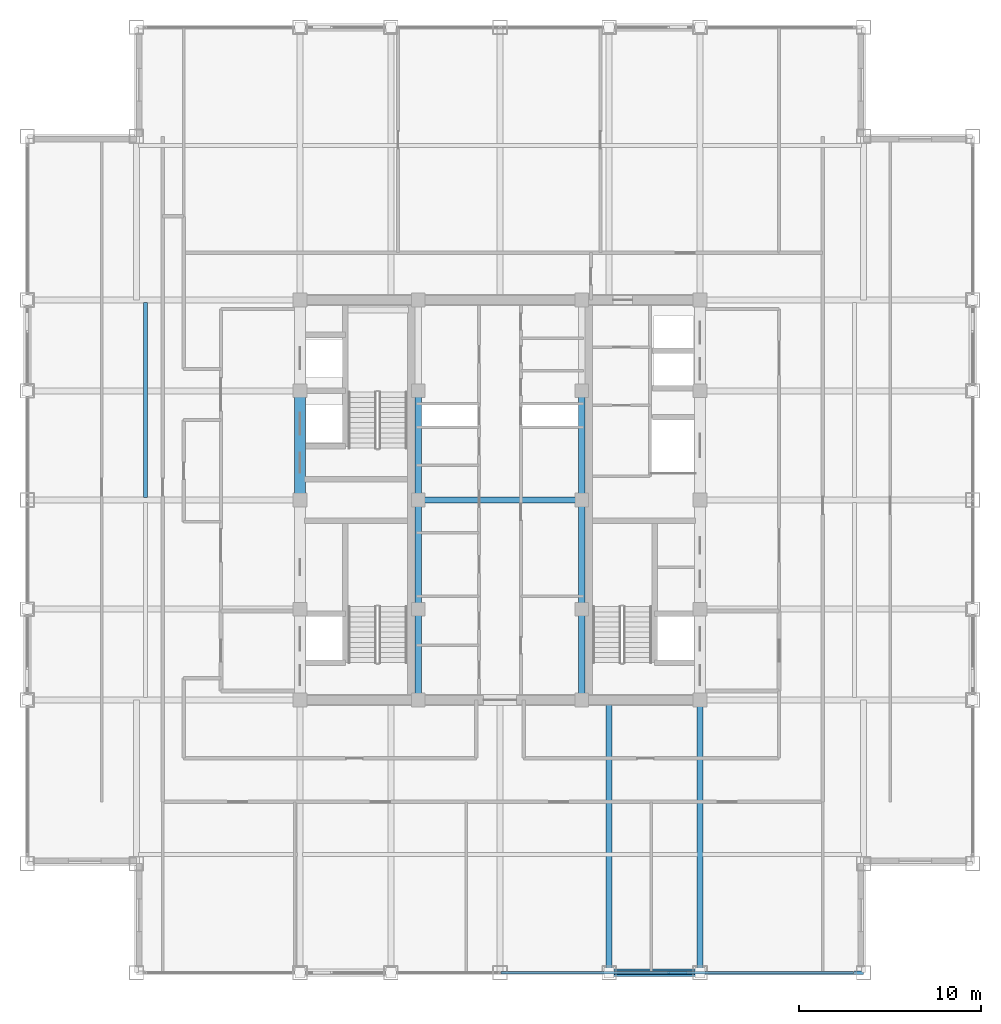
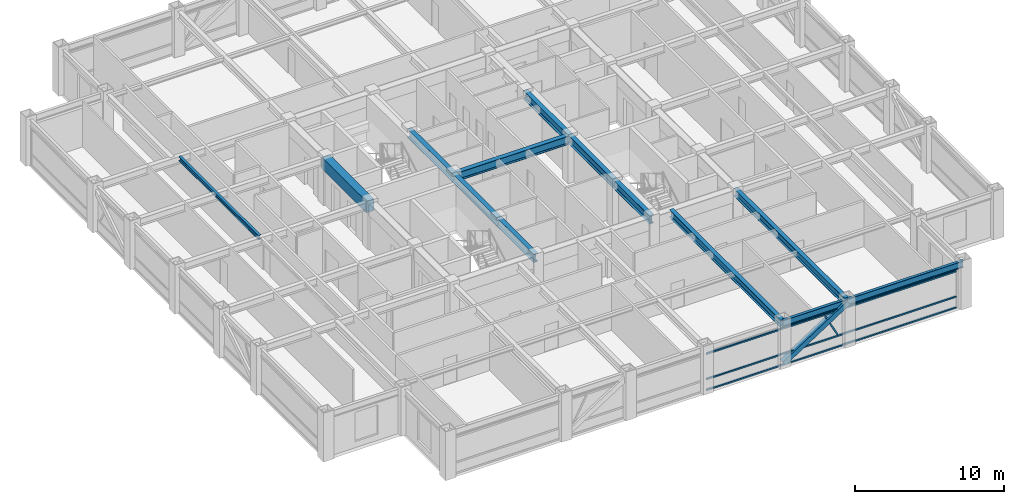
# One storey, part 7 of 28: 13 beams, 5 members, 1 element without a shape of its own.
"""IFC4 building model written with IfcOpenShell, lengths in metres."""

from ifc_helpers import new_model, si_unit, direction, frame, origin, origin_2d, place, context, subcontext, project, spatial, rectangle, hollow_rectangle, i_section, extrude, source, transform, mapped, material, material_profile, profile_set, type_object, element, aggregate, save


model = new_model("IFC4")

# Units and contexts
model_context = context("Model", 3, precision=1e-05, world=origin(), true_north=direction((0.0, 1.0)))
body_context = subcontext(model_context, "Body", "Model", "MODEL_VIEW")
ifc_project = project(units=[si_unit("LENGTHUNIT", "METRE"), si_unit("AREAUNIT", "SQUARE_METRE"), si_unit("VOLUMEUNIT", "CUBIC_METRE"), si_unit("PLANEANGLEUNIT", "RADIAN"), si_unit("MASSUNIT", "GRAM", prefix="KILO")], contexts=[model_context])

# Site, building, storey
site_placement = place(None, origin())
site = spatial("IfcSite", under=ifc_project, at=site_placement, CompositionType="ELEMENT")
building_placement = place(site_placement, origin())
building = spatial("IfcBuilding", under=site, at=building_placement, Name="Khorayat Bourse Tower", CompositionType="ELEMENT")
storey_placement = place(building_placement, frame((0.0, 0.0, 338.300048828125)))
storey = spatial("IfcBuildingStorey", under=building, at=storey_placement, Name="L80", CompositionType="ELEMENT", Elevation=338.300048828125)

# Beams
ifc_material_1 = material(Name="Steel ASTM A992 Grade 50", Category="steel")
ifc_material_profile_1 = material_profile(ifc_material_1, i_section(OverallWidth=0.35498046875, OverallDepth=0.695068359375, WebThickness=0.015380859375, FlangeThickness=0.02490234375, FilletRadius=0.01806640625, at=origin_2d()), Name="W690X217")
ifc_profile_set_1 = profile_set([ifc_material_profile_1], Name="Steel ASTM A992 Grade 50")
beam_type_1 = type_object("IfcBeamType", Name="BM-GIRD-690", PredefinedType="BEAM", material=ifc_profile_set_1)
shared_shape_1 = source(origin(), body_context, "Body", "SweptSolid", [
    extrude(i_section(OverallWidth=0.35498046875, OverallDepth=0.695068359375, WebThickness=0.015380859375, FlangeThickness=0.02490234375, FilletRadius=0.01806640625, at=origin_2d()), origin(), (0.0, 0.0, 1.0), 5.0),
])
for number, where, z_axis, x_axis, name in (
    (1, (-4.5, -11.0, 3.392333984375), (0.0, 1.0, 0.0), (-1.0, 0.0, 0.0), "L80 BM-GIRD-690 BM-L80-CRX-05"),
    (2, (4.5, -11.0, 3.392333984375), (0.0, 1.0, 0.0), (-1.0, 0.0, 0.0), "L80 BM-GIRD-690 BM-L80-CRX-09"),
):
    element("IfcBeam", number, at=place(storey_placement, frame(where, z_axis=z_axis, x_axis=x_axis)), inside=storey, type_object=beam_type_1, Name=name, PredefinedType="BEAM", context=body_context, shape_type="MappedRepresentation", body=[
        mapped(shared_shape_1, transform((0.0, 0.0, 0.0), scale=1.0)),
    ])
shared_shape_2 = source(origin(), body_context, "Body", "SweptSolid", [
    extrude(i_section(OverallWidth=0.35498046875, OverallDepth=0.695068359375, WebThickness=0.015380859375, FlangeThickness=0.02490234375, FilletRadius=0.01806640625, at=origin_2d()), origin(), (0.0, 0.0, 1.0), 6.0),
])
for number, where, z_axis, x_axis, name in (
    (3, (-4.5, -6.0, 3.392333984375), (0.0, 1.0, 0.0), (-1.0, 0.0, 0.0), "L80 BM-GIRD-690 BM-L80-CRX-06"),
    (4, (-4.5, 0.0, 3.392333984375), (0.0, 1.0, 0.0), (-1.0, 0.0, 0.0), "L80 BM-GIRD-690 BM-L80-CRX-07"),
    (5, (4.5, -6.0, 3.392333984375), (0.0, 1.0, 0.0), (-1.0, 0.0, 0.0), "L80 BM-GIRD-690 BM-L80-CRX-10"),
    (6, (4.5, 0.0, 3.392333984375), (0.0, 1.0, 0.0), (-1.0, 0.0, 0.0), "L80 BM-GIRD-690 BM-L80-CRX-11"),
):
    element("IfcBeam", number, at=place(storey_placement, frame(where, z_axis=z_axis, x_axis=x_axis)), inside=storey, type_object=beam_type_1, Name=name, PredefinedType="BEAM", context=body_context, shape_type="MappedRepresentation", body=[
        mapped(shared_shape_2, transform((0.0, 0.0, 0.0), scale=1.0)),
    ])
shared_shape_3 = source(origin(), body_context, "Body", "SweptSolid", [
    extrude(i_section(OverallWidth=0.35498046875, OverallDepth=0.695068359375, WebThickness=0.015380859375, FlangeThickness=0.02490234375, FilletRadius=0.01806640625, at=origin_2d()), origin(), (0.0, 0.0, 1.0), 9.0),
])
beam_1_placement = place(storey_placement, frame((-4.5, 0.0, 3.392333984375), z_axis=(1.0, 0.0, 0.0), x_axis=(0.0, 1.0, 0.0)))
element("IfcBeam", 7, at=beam_1_placement, inside=storey, type_object=beam_type_1, Name="L80 BM-GIRD-690 BM-L80-CRY-23", PredefinedType="BEAM", context=body_context, shape_type="MappedRepresentation", body=[
    mapped(shared_shape_3, transform((0.0, 0.0, 0.0), scale=1.0)),
])
ifc_material_2 = material(Name="Concrete C60/75", Category="concrete")
ifc_material_profile_2 = material_profile(ifc_material_2, rectangle(XDim=0.60009765625, YDim=0.949951171875, at=origin_2d()), Name="RC 600x950")
ifc_profile_set_2 = profile_set([ifc_material_profile_2], Name="Concrete C60/75")
beam_type_2 = type_object("IfcBeamType", Name="BM-COUP-950", PredefinedType="BEAM", material=ifc_profile_set_2)
shared_shape_4 = source(origin(), body_context, "Body", "SweptSolid", [
    extrude(rectangle(XDim=0.60009765625, YDim=0.949951171875, at=origin_2d()), origin(), (0.0, 0.0, 1.0), 6.0),
])
beam_2_placement = place(storey_placement, frame((-11.0, 0.0, 3.264892578125), z_axis=(0.0, 1.0, 0.0), x_axis=(-1.0, 0.0, 0.0)))
element("IfcBeam", 8, at=beam_2_placement, inside=storey, type_object=beam_type_2, Name="L80 BM-COUP-950 BM-L80-CRX-03", PredefinedType="BEAM", context=body_context, shape_type="MappedRepresentation", body=[
    mapped(shared_shape_4, transform((0.0, 0.0, 0.0), scale=1.0)),
])
ifc_material_profile_3 = material_profile(ifc_material_1, i_section(OverallWidth=0.202880859375, OverallDepth=0.346923828125, WebThickness=0.0078125, FlangeThickness=0.013427734375, FilletRadius=0.010009765625, at=origin_2d()), Name="W360X64")
ifc_profile_set_3 = profile_set([ifc_material_profile_3], Name="Steel ASTM A992 Grade 50")
beam_type_3 = type_object("IfcBeamType", Name="BM-JOIST-360", PredefinedType="JOIST", material=ifc_profile_set_3)
shared_shape_5 = source(origin(), body_context, "Body", "SweptSolid", [
    extrude(i_section(OverallWidth=0.202880859375, OverallDepth=0.346923828125, WebThickness=0.0078125, FlangeThickness=0.013427734375, FilletRadius=0.010009765625, at=origin_2d()), origin(), (0.0, 0.0, 1.0), 10.740234375),
])
beam_3_placement = place(storey_placement, frame((-19.5, 0.1298828125, 3.56640625), z_axis=(0.0, 1.0, 0.0), x_axis=(-1.0, 0.0, 0.0)))
element("IfcBeam", 9, at=beam_3_placement, inside=storey, type_object=beam_type_3, Name="L80 BM-JOIST-360 BM-L80-JSTY-087", PredefinedType="JOIST", context=body_context, shape_type="MappedRepresentation", body=[
    mapped(shared_shape_5, transform((0.0, 0.0, 0.0), scale=1.0)),
])
ifc_material_profile_4 = material_profile(ifc_material_1, i_section(OverallWidth=0.214111328125, OverallDepth=0.549072265625, WebThickness=0.0146484375, FlangeThickness=0.023681640625, FilletRadius=0.013916015625, at=origin_2d()), Name="W530X138")
ifc_profile_set_4 = profile_set([ifc_material_profile_4], Name="Steel ASTM A992 Grade 50")
beam_type_4 = type_object("IfcBeamType", Name="BM-SPAN-530", PredefinedType="SPANDREL", material=ifc_profile_set_4)
shared_shape_6 = source(origin(), body_context, "Body", "SweptSolid", [
    extrude(i_section(OverallWidth=0.214111328125, OverallDepth=0.549072265625, WebThickness=0.0146484375, FlangeThickness=0.023681640625, FilletRadius=0.013916015625, at=origin_2d()), origin(), (0.0, 0.0, 1.0), 9.0),
])
beam_4_placement = place(storey_placement, frame((11.0, -26.0, 3.46533203125), z_axis=(1.0, 0.0, 0.0), x_axis=(0.0, 1.0, 0.0)))
element("IfcBeam", 10, at=beam_4_placement, inside=storey, type_object=beam_type_4, Name="L80 BM-SPAN-530 BM-L80-SPN-029", PredefinedType="SPANDREL", context=body_context, shape_type="MappedRepresentation", body=[
    mapped(shared_shape_6, transform((0.0, 0.0, 0.0), scale=1.0)),
])
shared_shape_7 = source(origin(), body_context, "Body", "SweptSolid", [
    extrude(i_section(OverallWidth=0.214111328125, OverallDepth=0.549072265625, WebThickness=0.0146484375, FlangeThickness=0.023681640625, FilletRadius=0.013916015625, at=origin_2d()), origin(), (0.0, 0.0, 1.0), 5.0),
])
beam_5_placement = place(storey_placement, frame((6.0, -26.0, 3.46533203125), z_axis=(1.0, 0.0, 0.0), x_axis=(0.0, 1.0, 0.0)))
element("IfcBeam", 11, at=beam_5_placement, inside=storey, type_object=beam_type_4, Name="L80 BM-SPAN-530 BM-L80-SPN-028", PredefinedType="SPANDREL", context=body_context, shape_type="MappedRepresentation", body=[
    mapped(shared_shape_7, transform((0.0, 0.0, 0.0), scale=1.0)),
])
ifc_material_profile_5 = material_profile(ifc_material_1, i_section(OverallWidth=0.324951171875, OverallDepth=0.615966796875, WebThickness=0.013916015625, FlangeThickness=0.021484375, FilletRadius=0.01611328125, at=origin_2d()), Name="W610X174")
ifc_profile_set_5 = profile_set([ifc_material_profile_5], Name="Steel ASTM A992 Grade 50")
beam_type_5 = type_object("IfcBeamType", Name="BM-GIRD-610", PredefinedType="BEAM", material=ifc_profile_set_5)
shared_shape_8 = source(origin(), body_context, "Body", "SweptSolid", [
    extrude(i_section(OverallWidth=0.324951171875, OverallDepth=0.615966796875, WebThickness=0.013916015625, FlangeThickness=0.021484375, FilletRadius=0.01611328125, at=origin_2d()), origin(), (0.0, 0.0, 1.0), 15.0),
])
for number, where, z_axis, x_axis, name in (
    (12, (6.0, -26.0, 3.431884765625), (0.0, 1.0, 0.0), (-1.0, 0.0, 0.0), "L80 BM-GIRD-610 BM-L80-RADY-063"),
    (13, (11.0, -26.0, 3.431884765625), (0.0, 1.0, 0.0), (-1.0, 0.0, 0.0), "L80 BM-GIRD-610 BM-L80-RADY-065"),
):
    element("IfcBeam", number, at=place(storey_placement, frame(where, z_axis=z_axis, x_axis=x_axis)), inside=storey, type_object=beam_type_5, Name=name, PredefinedType="BEAM", context=body_context, shape_type="MappedRepresentation", body=[
        mapped(shared_shape_8, transform((0.0, 0.0, 0.0), scale=1.0)),
    ])

# Member
ifc_material_3 = material(Name="Steel EN 10025-4 S460M", Category="steel")
ifc_material_profile_6 = material_profile(ifc_material_3, hollow_rectangle(XDim=0.39990234375, YDim=0.39990234375, WallThickness=0.02197265625, at=origin_2d()), Name="HSS 400x400x22")
ifc_profile_set_6 = profile_set([ifc_material_profile_6], Name="Steel EN 10025-4 S460M")
member_type_1 = type_object("IfcMemberType", Name="MBR-TUBE-400", PredefinedType="BRACE", material=ifc_profile_set_6)
shared_shape_9 = source(origin(), body_context, "Body", "SweptSolid", [
    extrude(hollow_rectangle(XDim=0.39990234375, YDim=0.39990234375, WallThickness=0.02197265625, at=origin_2d()), origin(), (0.0, 0.0, 1.0), 5.9580078125),
])
member_1_placement = place(storey_placement, frame((6.0, -26.0, 0.25), z_axis=(0.839210474455, 0.0, 0.543806748364), x_axis=(0.0, 1.0, 0.0)))
element("IfcMember", 14, at=member_1_placement, inside=storey, type_object=member_type_1, Name="L80 Perimeter Tube Brace 02", PredefinedType="BRACE", context=body_context, shape_type="MappedRepresentation", body=[
    mapped(shared_shape_9, transform((0.0, 0.0, 0.0), scale=1.0)),
])

# Curtain wall, members
ifc_material_4 = material(Name="Aluminium EN AW-6063 T6", Category="aluminium")
curtain_wall_type = type_object("IfcCurtainWallType", Name="CW-SYS-04", PredefinedType="NOTDEFINED", material=ifc_material_4)
curtain_wall_placement = place(storey_placement, origin())
curtain_wall = element("IfcCurtainWall", 15, at=curtain_wall_placement, inside=storey, type_object=curtain_wall_type, Name="L80 Curtain Wall CW-L80-S1", PredefinedType="NOTDEFINED")
ifc_material_profile_7 = material_profile(ifc_material_4, hollow_rectangle(XDim=0.1201171875, YDim=0.1201171875, WallThickness=0.0048828125, at=origin_2d()), Name="ALU 120x120x5")
ifc_profile_set_7 = profile_set([ifc_material_profile_7], Name="Aluminium EN AW-6063 T6")
member_type_2 = type_object("IfcMemberType", Name="CWM-DIAG-120", PredefinedType="MULLION", material=ifc_profile_set_7)
shared_shape_10 = source(origin(), body_context, "Body", "SweptSolid", [
    extrude(hollow_rectangle(XDim=0.1201171875, YDim=0.1201171875, WallThickness=0.0048828125, at=origin_2d()), origin(), (0.0, 0.0, 1.0), 2.0341796875),
])
member_2_placement = place(storey_placement, frame((10.21875, -26.0, 1.08984375), z_axis=(-0.465790950955, 0.0, 0.884894790361), x_axis=(0.0, -1.0, 0.0)))
member_2 = element("IfcMember", 16, at=member_2_placement, type_object=member_type_2, Name="CW-L80-S1 Faceted Diagonal Mullion 2", PredefinedType="MULLION", context=body_context, shape_type="MappedRepresentation", body=[
    mapped(shared_shape_10, transform((0.0, 0.0, 0.0), scale=1.0)),
])
ifc_material_profile_8 = material_profile(ifc_material_4, hollow_rectangle(XDim=0.1201171875, YDim=0.1201171875, WallThickness=0.0048828125, at=origin_2d()), Name="ALU 120x120x5")
ifc_profile_set_8 = profile_set([ifc_material_profile_8], Name="Aluminium EN AW-6063 T6")
member_type_3 = type_object("IfcMemberType", Name="CWT-HORZ-120", PredefinedType="USERDEFINED", material=ifc_profile_set_8)
shared_shape_11 = source(origin(), body_context, "Body", "SweptSolid", [
    extrude(hollow_rectangle(XDim=0.1201171875, YDim=0.1201171875, WallThickness=0.0048828125, at=origin_2d()), origin(), (0.0, 0.0, 1.0), 19.369873046875),
])
member_3_placement = place(storey_placement, frame((0.06005859375, -26.0, 0.06005859375), z_axis=(1.0, 0.0, 0.0), x_axis=(0.0, 1.0, 0.0)))
member_3 = element("IfcMember", 17, at=member_3_placement, type_object=member_type_3, Name="CW-L80-S1 Horizontal Transom 2-1", ObjectType="TRANSOM", PredefinedType="USERDEFINED", context=body_context, shape_type="MappedRepresentation", body=[
    mapped(shared_shape_11, transform((0.0, 0.0, 0.0), scale=1.0)),
])
member_4_placement = place(storey_placement, frame((0.06005859375, -26.0, 0.949951171875), z_axis=(1.0, 0.0, 0.0), x_axis=(0.0, 1.0, 0.0)))
member_4 = element("IfcMember", 18, at=member_4_placement, type_object=member_type_3, Name="CW-L80-S1 Horizontal Transom 2-2", ObjectType="TRANSOM", PredefinedType="USERDEFINED", context=body_context, shape_type="MappedRepresentation", body=[
    mapped(shared_shape_11, transform((0.0, 0.0, 0.0), scale=1.0)),
])
member_5_placement = place(storey_placement, frame((0.06005859375, -26.0, 3.030029296875), z_axis=(1.0, 0.0, 0.0), x_axis=(0.0, 1.0, 0.0)))
member_5 = element("IfcMember", 19, at=member_5_placement, type_object=member_type_3, Name="CW-L80-S1 Horizontal Transom 2-3", ObjectType="TRANSOM", PredefinedType="USERDEFINED", context=body_context, shape_type="MappedRepresentation", body=[
    mapped(shared_shape_11, transform((0.0, 0.0, 0.0), scale=1.0)),
])
aggregate(curtain_wall, [member_3, member_4, member_5, member_2])

save(model, "model.ifc")
